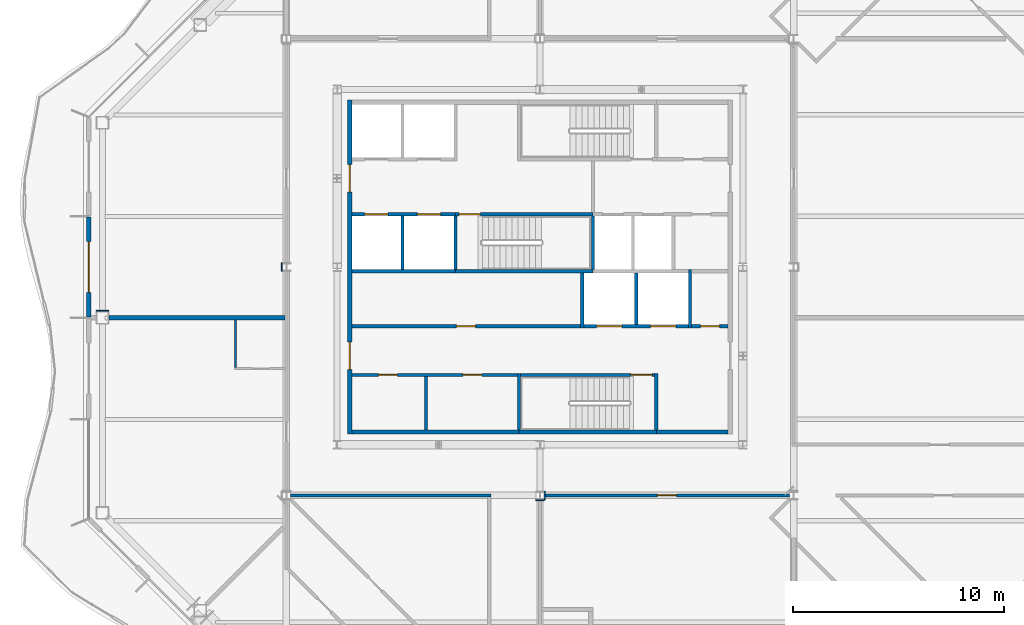
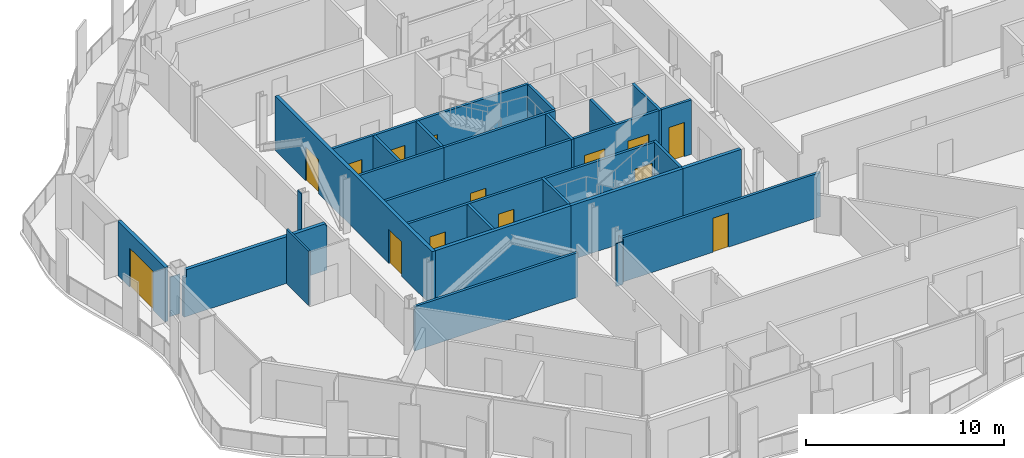
# One storey, part 8 of 19: 31 walls, 14 doors, 14 openings.
"""IFC4 building model written with IfcOpenShell, lengths in metres."""

from ifc_helpers import new_model, si_unit, direction, frame, frame_2d, origin, place, context, subcontext, project, spatial, polyline, rectangle, outline, extrude, material, layer, layer_set, type_object, element, fill, save


model = new_model("IFC4")

# Units and contexts
model_context = context("Model", 3, precision=1e-05, world=origin(), true_north=direction((0.0, 1.0)))
body_context = subcontext(model_context, "Body", "Model", "MODEL_VIEW")
ifc_project = project(units=[si_unit("LENGTHUNIT", "METRE"), si_unit("AREAUNIT", "SQUARE_METRE"), si_unit("VOLUMEUNIT", "CUBIC_METRE"), si_unit("PLANEANGLEUNIT", "RADIAN"), si_unit("MASSUNIT", "GRAM", prefix="KILO")], contexts=[model_context])

# Site, building, storey
site_placement = place(None, origin())
site = spatial("IfcSite", under=ifc_project, at=site_placement, CompositionType="ELEMENT")
building_placement = place(site_placement, origin())
building = spatial("IfcBuilding", under=site, at=building_placement, Name="Cairn Pilgrim Tower", CompositionType="ELEMENT")
storey_placement = place(building_placement, frame((0.0, 0.0, 201.0)))
storey = spatial("IfcBuildingStorey", under=building, at=storey_placement, Name="L51", CompositionType="ELEMENT", Elevation=201.0)

# Wall, opening, door
ifc_material_1 = material(Name="Bronze anodised aluminium insulated sandwich panel with mineral wool fill", Category="aluminium")
ifc_layer_1 = layer(ifc_material_1, 0.199951171875)
ifc_layer_set_1 = layer_set([ifc_layer_1], Name="BRONZE INFILL FRAME WALL 200")
wall_type_1 = type_object("IfcWallType", Name="BRONZE INFILL FRAME WALL 200", PredefinedType="NOTDEFINED", material=ifc_layer_set_1)
wall_1_placement = place(storey_placement, frame((-14.14990234375, 4.77001953125, 0.0), z_axis=(0.0, 0.0, 1.0), x_axis=(0.0, -1.0, 0.0)))
wall_1 = element("IfcWall", 1, at=wall_1_placement, inside=storey, type_object=wall_type_1, Name="Bronze infill frame wall IW-W2", PredefinedType="NOTDEFINED", context=body_context, shape_type="SweptSolid", body=[
    extrude(rectangle(XDim=4.739990234375, YDim=0.199951171875, at=frame_2d((2.3701171875, 0.0))), origin(), (0.0, 0.0, 1.0), 3.35009765625),
])
opening_1_placement = place(wall_1_placement, frame((1.169921875, 0.0, 0.0)))
opening_1 = element("IfcOpeningElement", 2, at=opening_1_placement, cuts=wall_1, Name="Opening 5110B", PredefinedType="OPENING", context=body_context, shape_type="SweptSolid", body=[
    extrude(rectangle(XDim=2.39990234375, YDim=2.39990234375, at=frame_2d((1.199951171875, 1.199951171875))), frame((0.0, 0.10986328125, 0.0), z_axis=(0.0, -1.0, 0.0), x_axis=(1.0, 0.0, 0.0)), (0.0, 0.0, 1.0), 0.219970703125),
])
ifc_material_2 = material(Name="Bronze anodised aluminium frame with tinted low-E glass", Category="aluminium")
door_type_1 = type_object("IfcDoorType", Name="BALCONY SLIDING DOOR 2400x2400", OperationType="DOUBLE_DOOR_SLIDING", PredefinedType="DOOR", material=ifc_material_2)
door_1_placement = place(opening_1_placement, origin())
door_1 = element("IfcDoor", 3, at=door_1_placement, inside=storey, type_object=door_type_1, Name="Balcony sliding door 5110B", OperationType="SINGLE_SWING_LEFT", OverallHeight=2.39990234375, OverallWidth=2.39990234375, PredefinedType="DOOR", context=body_context, shape_type="SweptSolid", body=[
    extrude(rectangle(XDim=2.39990234375, YDim=2.39990234375, at=frame_2d((1.199951171875, 1.199951171875))), frame((0.0, 0.02490234375, 0.0), z_axis=(0.0, -1.0, 0.0), x_axis=(1.0, 0.0, 0.0)), (0.0, 0.0, 1.0), 0.050048828125),
])
fill(opening_1, door_1)

# Walls
ifc_material_3 = material(Name="Concrete C32/40", Category="concrete")
ifc_layer_2 = layer(ifc_material_3, 0.199951171875)
ifc_layer_set_2 = layer_set([ifc_layer_2], Name="CORE OUTER WALL 200 EI 120")
wall_type_2 = type_object("IfcWallType", Name="CORE OUTER WALL 200 EI 120", PredefinedType="SOLIDWALL", material=ifc_layer_set_2)
wall_2_placement = place(storey_placement, frame((-1.699951171875, -5.39990234375, 0.0), z_axis=(0.0, 0.0, 1.0), x_axis=(1.0, 0.0, 0.0)))
element("IfcWall", 4, at=wall_2_placement, inside=storey, type_object=wall_type_2, Name="CW:L51:H01-1", PredefinedType="SOLIDWALL", context=body_context, shape_type="SweptSolid", body=[
    extrude(rectangle(XDim=7.89990234375, YDim=0.199951171875, at=frame_2d((3.949951171875, 0.0))), origin(), (0.0, 0.0, 1.0), 3.35009765625),
])
wall_3_placement = place(storey_placement, frame((12.699951171875, -5.39990234375, 0.0), z_axis=(0.0, 0.0, 1.0), x_axis=(1.0, 0.0, 0.0)))
element("IfcWall", 5, at=wall_3_placement, inside=storey, type_object=wall_type_2, Name="CW:L51:H01-3", PredefinedType="SOLIDWALL", context=body_context, shape_type="SweptSolid", body=[
    extrude(rectangle(XDim=3.400146484375, YDim=0.199951171875, at=frame_2d((1.7001953125, 0.0))), origin(), (0.0, 0.0, 1.0), 3.35009765625),
])

# Wall, openings, doors
wall_4_placement = place(storey_placement, frame((-1.800048828125, -5.5, 0.0), z_axis=(0.0, 0.0, 1.0), x_axis=(0.0, 1.0, 0.0)))
wall_4 = element("IfcWall", 6, at=wall_4_placement, inside=storey, type_object=wall_type_2, Name="CW:L51:V13", PredefinedType="SOLIDWALL", context=body_context, shape_type="SweptSolid", body=[
    extrude(rectangle(XDim=15.800048828125, YDim=0.199951171875, at=frame_2d((7.89990234375, 0.0))), origin(), (0.0, 0.0, 1.0), 3.35009765625),
])
opening_2_placement = place(wall_4_placement, frame((3.050048828125, 0.0, 0.0)))
opening_2 = element("IfcOpeningElement", 7, at=opening_2_placement, cuts=wall_4, Name="Opening CD-W1", PredefinedType="OPENING", context=body_context, shape_type="SweptSolid", body=[
    extrude(rectangle(XDim=1.300048828125, YDim=2.10009765625, at=frame_2d((0.64990234375, 1.050048828125))), frame((0.0, 0.10986328125, 0.0), z_axis=(0.0, -1.0, 0.0), x_axis=(1.0, 0.0, 0.0)), (0.0, 0.0, 1.0), 0.219970703125),
])
opening_3_placement = place(wall_4_placement, frame((11.449951171875, 0.0, 0.0)))
opening_3 = element("IfcOpeningElement", 8, at=opening_3_placement, cuts=wall_4, Name="Opening CD-W2", PredefinedType="OPENING", context=body_context, shape_type="SweptSolid", body=[
    extrude(rectangle(XDim=1.300048828125, YDim=2.10009765625, at=frame_2d((0.64990234375, 1.050048828125))), frame((0.0, 0.10986328125, 0.0), z_axis=(0.0, -1.0, 0.0), x_axis=(1.0, 0.0, 0.0)), (0.0, 0.0, 1.0), 0.219970703125),
])
ifc_material_4 = material(Name="Painted steel", Category="steel")
door_type_2 = type_object("IfcDoorType", Name="CORE LOBBY DOOR 1300x2100", OperationType="DOUBLE_DOOR_SINGLE_SWING", PredefinedType="DOOR", material=ifc_material_4)
door_2_placement = place(opening_2_placement, origin())
door_2 = element("IfcDoor", 9, at=door_2_placement, inside=storey, type_object=door_type_2, Name="CD-W1", OperationType="DOUBLE_DOOR_SINGLE_SWING", OverallHeight=2.10009765625, OverallWidth=1.300048828125, PredefinedType="DOOR", context=body_context, shape_type="SweptSolid", body=[
    extrude(rectangle(XDim=1.300048828125, YDim=2.10009765625, at=frame_2d((0.64990234375, 1.050048828125))), frame((0.0, 0.02490234375, 0.0), z_axis=(0.0, -1.0, 0.0), x_axis=(1.0, 0.0, 0.0)), (0.0, 0.0, 1.0), 0.050048828125),
])
fill(opening_2, door_2)
door_3_placement = place(opening_3_placement, origin())
door_3 = element("IfcDoor", 10, at=door_3_placement, inside=storey, type_object=door_type_2, Name="CD-W2", OperationType="DOUBLE_DOOR_SINGLE_SWING", OverallHeight=2.10009765625, OverallWidth=1.300048828125, PredefinedType="DOOR", context=body_context, shape_type="SweptSolid", body=[
    extrude(rectangle(XDim=1.300048828125, YDim=2.10009765625, at=frame_2d((0.64990234375, 1.050048828125))), frame((0.0, 0.02490234375, 0.0), z_axis=(0.0, -1.0, 0.0), x_axis=(1.0, 0.0, 0.0)), (0.0, 0.0, 1.0), 0.050048828125),
])
fill(opening_3, door_3)

ifc_layer_3 = layer(ifc_material_3, 0.14990234375)
ifc_layer_set_3 = layer_set([ifc_layer_3], Name="CORE PARTITION 150 EI 60")
wall_type_3 = type_object("IfcWallType", Name="CORE PARTITION 150 EI 60", PredefinedType="PARTITIONING", material=ifc_layer_set_3)
wall_5_placement = place(storey_placement, frame((-1.699951171875, -2.699951171875, 0.0), z_axis=(0.0, 0.0, 1.0), x_axis=(1.0, 0.0, 0.0)))
wall_5 = element("IfcWall", 11, at=wall_5_placement, inside=storey, type_object=wall_type_3, Name="CW:L51:H02", PredefinedType="PARTITIONING", context=body_context, shape_type="SweptSolid", body=[
    extrude(rectangle(XDim=7.824951171875, YDim=0.14990234375, at=frame_2d((3.91259765625, 0.0))), origin(), (0.0, 0.0, 1.0), 3.35009765625),
])
opening_4_placement = place(wall_5_placement, frame((1.25, 0.0, 0.0)))
opening_4 = element("IfcOpeningElement", 12, at=opening_4_placement, cuts=wall_5, Name="Opening RD-R1W1", PredefinedType="OPENING", context=body_context, shape_type="SweptSolid", body=[
    extrude(rectangle(XDim=0.89990234375, YDim=2.10009765625, at=frame_2d((0.449951171875, 1.050048828125))), frame((0.0, 0.0849609375, 0.0), z_axis=(0.0, -1.0, 0.0), x_axis=(1.0, 0.0, 0.0)), (0.0, 0.0, 1.0), 0.169921875),
])
opening_5_placement = place(wall_5_placement, frame((5.25, 0.0, 0.0)))
opening_5 = element("IfcOpeningElement", 13, at=opening_5_placement, cuts=wall_5, Name="Opening RD-R1W2", PredefinedType="OPENING", context=body_context, shape_type="SweptSolid", body=[
    extrude(rectangle(XDim=0.89990234375, YDim=2.10009765625, at=frame_2d((0.449951171875, 1.050048828125))), frame((0.0, 0.0849609375, 0.0), z_axis=(0.0, -1.0, 0.0), x_axis=(1.0, 0.0, 0.0)), (0.0, 0.0, 1.0), 0.169921875),
])
door_type_3 = type_object("IfcDoorType", Name="SERVICE ROOM DOOR 900x2100", OperationType="SINGLE_SWING_LEFT", PredefinedType="DOOR", material=ifc_material_4)
door_4_placement = place(opening_4_placement, origin())
door_4 = element("IfcDoor", 14, at=door_4_placement, inside=storey, type_object=door_type_3, Name="RD-R1W1", OperationType="SINGLE_SWING_RIGHT", OverallHeight=2.10009765625, OverallWidth=0.89990234375, PredefinedType="DOOR", context=body_context, shape_type="SweptSolid", body=[
    extrude(rectangle(XDim=0.89990234375, YDim=2.10009765625, at=frame_2d((0.449951171875, 1.050048828125))), frame((0.0, 0.02490234375, 0.0), z_axis=(0.0, -1.0, 0.0), x_axis=(1.0, 0.0, 0.0)), (0.0, 0.0, 1.0), 0.050048828125),
])
fill(opening_4, door_4)
door_5_placement = place(opening_5_placement, origin())
door_5 = element("IfcDoor", 15, at=door_5_placement, inside=storey, type_object=door_type_3, Name="RD-R1W2", OperationType="SINGLE_SWING_LEFT", OverallHeight=2.10009765625, OverallWidth=0.89990234375, PredefinedType="DOOR", context=body_context, shape_type="SweptSolid", body=[
    extrude(rectangle(XDim=0.89990234375, YDim=2.10009765625, at=frame_2d((0.449951171875, 1.050048828125))), frame((0.0, 0.02490234375, 0.0), z_axis=(0.0, -1.0, 0.0), x_axis=(1.0, 0.0, 0.0)), (0.0, 0.0, 1.0), 0.050048828125),
])
fill(opening_5, door_5)

# Wall, opening, door
wall_6_placement = place(storey_placement, frame((-1.699951171875, -0.39990234375, 0.0), z_axis=(0.0, 0.0, 1.0), x_axis=(1.0, 0.0, 0.0)))
wall_6 = element("IfcWall", 16, at=wall_6_placement, inside=storey, type_object=wall_type_3, Name="CW:L51:H04", PredefinedType="PARTITIONING", context=body_context, shape_type="SweptSolid", body=[
    extrude(rectangle(XDim=10.824951171875, YDim=0.14990234375, at=frame_2d((5.41259765625, 0.0))), origin(), (0.0, 0.0, 1.0), 3.35009765625),
])
opening_6_placement = place(wall_6_placement, frame((4.949951171875, 0.0, 0.0)))
opening_6 = element("IfcOpeningElement", 17, at=opening_6_placement, cuts=wall_6, Name="Opening RD-R2W1", PredefinedType="OPENING", context=body_context, shape_type="SweptSolid", body=[
    extrude(rectangle(XDim=0.89990234375, YDim=2.10009765625, at=frame_2d((0.449951171875, 1.050048828125))), frame((0.0, 0.0849609375, 0.0), z_axis=(0.0, -1.0, 0.0), x_axis=(1.0, 0.0, 0.0)), (0.0, 0.0, 1.0), 0.169921875),
])
door_6_placement = place(opening_6_placement, origin())
door_6 = element("IfcDoor", 18, at=door_6_placement, inside=storey, type_object=door_type_3, Name="RD-R2W1", OperationType="SINGLE_SWING_RIGHT", OverallHeight=2.10009765625, OverallWidth=0.89990234375, PredefinedType="DOOR", context=body_context, shape_type="SweptSolid", body=[
    extrude(rectangle(XDim=0.89990234375, YDim=2.10009765625, at=frame_2d((0.449951171875, 1.050048828125))), frame((0.0, 0.02490234375, 0.0), z_axis=(0.0, -1.0, 0.0), x_axis=(1.0, 0.0, 0.0)), (0.0, 0.0, 1.0), 0.050048828125),
])
fill(opening_6, door_6)

wall_7_placement = place(storey_placement, frame((14.375, -0.39990234375, 0.0), z_axis=(0.0, 0.0, 1.0), x_axis=(1.0, 0.0, 0.0)))
wall_7 = element("IfcWall", 19, at=wall_7_placement, inside=storey, type_object=wall_type_3, Name="CW:L51:H06", PredefinedType="PARTITIONING", context=body_context, shape_type="SweptSolid", body=[
    extrude(rectangle(XDim=1.72509765625, YDim=0.14990234375, at=frame_2d((0.862548828125, 0.0))), origin(), (0.0, 0.0, 1.0), 3.35009765625),
])
opening_7_placement = place(wall_7_placement, frame((0.425048828125, 0.0, 0.0)))
opening_7 = element("IfcOpeningElement", 20, at=opening_7_placement, cuts=wall_7, Name="Opening RD-R2E", PredefinedType="OPENING", context=body_context, shape_type="SweptSolid", body=[
    extrude(rectangle(XDim=0.89990234375, YDim=2.10009765625, at=frame_2d((0.449951171875, 1.050048828125))), frame((0.0, 0.0849609375, 0.0), z_axis=(0.0, -1.0, 0.0), x_axis=(1.0, 0.0, 0.0)), (0.0, 0.0, 1.0), 0.169921875),
])
door_7_placement = place(opening_7_placement, origin())
door_7 = element("IfcDoor", 21, at=door_7_placement, inside=storey, type_object=door_type_3, Name="RD-R2E", OperationType="SINGLE_SWING_LEFT", OverallHeight=2.10009765625, OverallWidth=0.89990234375, PredefinedType="DOOR", context=body_context, shape_type="SweptSolid", body=[
    extrude(rectangle(XDim=0.89990234375, YDim=2.10009765625, at=frame_2d((0.449951171875, 1.050048828125))), frame((0.0, 0.02490234375, 0.0), z_axis=(0.0, -1.0, 0.0), x_axis=(1.0, 0.0, 0.0)), (0.0, 0.0, 1.0), 0.050048828125),
])
fill(opening_7, door_7)

# Wall
wall_8_placement = place(storey_placement, frame((1.800048828125, -5.300048828125, 0.0), z_axis=(0.0, 0.0, 1.0), x_axis=(0.0, 1.0, 0.0)))
element("IfcWall", 22, at=wall_8_placement, inside=storey, type_object=wall_type_3, Name="CW:L51:V16", PredefinedType="PARTITIONING", context=body_context, shape_type="SweptSolid", body=[
    extrude(rectangle(XDim=2.525146484375, YDim=0.14990234375, at=frame_2d((1.2626953125, 0.0))), origin(), (0.0, 0.0, 1.0), 3.35009765625),
])

# Wall, openings, doors
ifc_layer_4 = layer(ifc_material_3, 0.14990234375)
ifc_layer_set_4 = layer_set([ifc_layer_4], Name="CORE SHAFT WALL 150 EI 120")
wall_type_4 = type_object("IfcWallType", Name="CORE SHAFT WALL 150 EI 120", PredefinedType="SOLIDWALL", material=ifc_layer_set_4)
wall_9_placement = place(storey_placement, frame((9.27490234375, -0.39990234375, 0.0), z_axis=(0.0, 0.0, 1.0), x_axis=(1.0, 0.0, 0.0)))
wall_9 = element("IfcWall", 23, at=wall_9_placement, inside=storey, type_object=wall_type_4, Name="CW:L51:H05", PredefinedType="SOLIDWALL", context=body_context, shape_type="SweptSolid", body=[
    extrude(rectangle(XDim=4.9501953125, YDim=0.14990234375, at=frame_2d((2.47509765625, 0.0))), origin(), (0.0, 0.0, 1.0), 3.35009765625),
])
opening_8_placement = place(wall_9_placement, frame((0.60009765625, 0.0, 0.0)))
opening_8 = element("IfcOpeningElement", 24, at=opening_8_placement, cuts=wall_9, Name="Opening LD-SV1", PredefinedType="OPENING", context=body_context, shape_type="SweptSolid", body=[
    extrude(rectangle(XDim=1.199951171875, YDim=2.10009765625, at=frame_2d((0.60009765625, 1.050048828125))), frame((0.0, 0.0849609375, 0.0), z_axis=(0.0, -1.0, 0.0), x_axis=(1.0, 0.0, 0.0)), (0.0, 0.0, 1.0), 0.169921875),
])
opening_9_placement = place(wall_9_placement, frame((3.14990234375, 0.0, 0.0)))
opening_9 = element("IfcOpeningElement", 25, at=opening_9_placement, cuts=wall_9, Name="Opening LD-SV2", PredefinedType="OPENING", context=body_context, shape_type="SweptSolid", body=[
    extrude(rectangle(XDim=1.199951171875, YDim=2.10009765625, at=frame_2d((0.60009765625, 1.050048828125))), frame((0.0, 0.0849609375, 0.0), z_axis=(0.0, -1.0, 0.0), x_axis=(1.0, 0.0, 0.0)), (0.0, 0.0, 1.0), 0.169921875),
])
ifc_material_5 = material(Name="Stainless steel", Category="steel")
door_type_4 = type_object("IfcDoorType", Name="LIFT LANDING DOOR 1200x2100", OperationType="DOUBLE_DOOR_SLIDING", PredefinedType="DOOR", material=ifc_material_5)
door_8_placement = place(opening_8_placement, origin())
door_8 = element("IfcDoor", 26, at=door_8_placement, inside=storey, type_object=door_type_4, Name="LANDING DOOR SV1", OperationType="DOUBLE_DOOR_SLIDING", OverallHeight=2.10009765625, OverallWidth=1.199951171875, PredefinedType="DOOR", context=body_context, shape_type="SweptSolid", body=[
    extrude(rectangle(XDim=1.199951171875, YDim=2.10009765625, at=frame_2d((0.60009765625, 1.050048828125))), frame((0.0, 0.02490234375, 0.0), z_axis=(0.0, -1.0, 0.0), x_axis=(1.0, 0.0, 0.0)), (0.0, 0.0, 1.0), 0.050048828125),
])
fill(opening_8, door_8)
door_9_placement = place(opening_9_placement, origin())
door_9 = element("IfcDoor", 27, at=door_9_placement, inside=storey, type_object=door_type_4, Name="LANDING DOOR SV2", OperationType="DOUBLE_DOOR_SLIDING", OverallHeight=2.10009765625, OverallWidth=1.199951171875, PredefinedType="DOOR", context=body_context, shape_type="SweptSolid", body=[
    extrude(rectangle(XDim=1.199951171875, YDim=2.10009765625, at=frame_2d((0.60009765625, 1.050048828125))), frame((0.0, 0.02490234375, 0.0), z_axis=(0.0, -1.0, 0.0), x_axis=(1.0, 0.0, 0.0)), (0.0, 0.0, 1.0), 0.050048828125),
])
fill(opening_9, door_9)

# Wall
wall_10_placement = place(storey_placement, frame((-1.699951171875, 2.199951171875, 0.0), z_axis=(0.0, 0.0, 1.0), x_axis=(1.0, 0.0, 0.0)))
element("IfcWall", 28, at=wall_10_placement, inside=storey, type_object=wall_type_4, Name="CW:L51:H07-1", PredefinedType="SOLIDWALL", context=body_context, shape_type="SweptSolid", body=[
    extrude(rectangle(XDim=4.89990234375, YDim=0.14990234375, at=frame_2d((2.449951171875, 0.0))), origin(), (0.0, 0.0, 1.0), 3.35009765625),
])

# Wall, openings, doors
wall_11_placement = place(storey_placement, frame((-1.699951171875, 4.89990234375, 0.0), z_axis=(0.0, 0.0, 1.0), x_axis=(1.0, 0.0, 0.0)))
wall_11 = element("IfcWall", 29, at=wall_11_placement, inside=storey, type_object=wall_type_4, Name="CW:L51:H09-1", PredefinedType="SOLIDWALL", context=body_context, shape_type="SweptSolid", body=[
    extrude(rectangle(XDim=4.89990234375, YDim=0.14990234375, at=frame_2d((2.449951171875, 0.0))), origin(), (0.0, 0.0, 1.0), 3.35009765625),
])
opening_10_placement = place(wall_11_placement, frame((0.60009765625, 0.0, 0.0)))
opening_10 = element("IfcOpeningElement", 30, at=opening_10_placement, cuts=wall_11, Name="Opening LD-HR1", PredefinedType="OPENING", context=body_context, shape_type="SweptSolid", body=[
    extrude(rectangle(XDim=1.10009765625, YDim=2.10009765625, at=frame_2d((0.550048828125, 1.050048828125))), frame((0.0, 0.0849609375, 0.0), z_axis=(0.0, -1.0, 0.0), x_axis=(1.0, 0.0, 0.0)), (0.0, 0.0, 1.0), 0.169921875),
])
opening_11_placement = place(wall_11_placement, frame((3.10009765625, 0.0, 0.0)))
opening_11 = element("IfcOpeningElement", 31, at=opening_11_placement, cuts=wall_11, Name="Opening LD-HR2", PredefinedType="OPENING", context=body_context, shape_type="SweptSolid", body=[
    extrude(rectangle(XDim=1.10009765625, YDim=2.10009765625, at=frame_2d((0.550048828125, 1.050048828125))), frame((0.0, 0.0849609375, 0.0), z_axis=(0.0, -1.0, 0.0), x_axis=(1.0, 0.0, 0.0)), (0.0, 0.0, 1.0), 0.169921875),
])
door_type_5 = type_object("IfcDoorType", Name="LIFT LANDING DOOR 1100x2100", OperationType="DOUBLE_DOOR_SLIDING", PredefinedType="DOOR", material=ifc_material_5)
door_10_placement = place(opening_10_placement, origin())
door_10 = element("IfcDoor", 32, at=door_10_placement, inside=storey, type_object=door_type_5, Name="LANDING DOOR HR1", OperationType="DOUBLE_DOOR_SLIDING", OverallHeight=2.10009765625, OverallWidth=1.10009765625, PredefinedType="DOOR", context=body_context, shape_type="SweptSolid", body=[
    extrude(rectangle(XDim=1.10009765625, YDim=2.10009765625, at=frame_2d((0.550048828125, 1.050048828125))), frame((0.0, 0.02490234375, 0.0), z_axis=(0.0, -1.0, 0.0), x_axis=(1.0, 0.0, 0.0)), (0.0, 0.0, 1.0), 0.050048828125),
])
fill(opening_10, door_10)
door_11_placement = place(opening_11_placement, origin())
door_11 = element("IfcDoor", 33, at=door_11_placement, inside=storey, type_object=door_type_5, Name="LANDING DOOR HR2", OperationType="DOUBLE_DOOR_SLIDING", OverallHeight=2.10009765625, OverallWidth=1.10009765625, PredefinedType="DOOR", context=body_context, shape_type="SweptSolid", body=[
    extrude(rectangle(XDim=1.10009765625, YDim=2.10009765625, at=frame_2d((0.550048828125, 1.050048828125))), frame((0.0, 0.02490234375, 0.0), z_axis=(0.0, -1.0, 0.0), x_axis=(1.0, 0.0, 0.0)), (0.0, 0.0, 1.0), 0.050048828125),
])
fill(opening_11, door_11)

# Walls
wall_12_placement = place(storey_placement, frame((0.699951171875, 2.27490234375, 0.0), z_axis=(0.0, 0.0, 1.0), x_axis=(0.0, 1.0, 0.0)))
element("IfcWall", 34, at=wall_12_placement, inside=storey, type_object=wall_type_4, Name="CW:L51:V14", PredefinedType="SOLIDWALL", context=body_context, shape_type="SweptSolid", body=[
    extrude(rectangle(XDim=2.550048828125, YDim=0.14990234375, at=frame_2d((1.27490234375, 0.0))), origin(), (0.0, 0.0, 1.0), 3.35009765625),
])
wall_13_placement = place(storey_placement, frame((9.199951171875, -0.47509765625, 0.0), z_axis=(0.0, 0.0, 1.0), x_axis=(0.0, 1.0, 0.0)))
element("IfcWall", 35, at=wall_13_placement, inside=storey, type_object=wall_type_4, Name="CW:L51:V21", PredefinedType="SOLIDWALL", context=body_context, shape_type="SweptSolid", body=[
    extrude(rectangle(XDim=2.60009765625, YDim=0.14990234375, at=frame_2d((1.300048828125, 0.0))), origin(), (0.0, 0.0, 1.0), 3.35009765625),
])
wall_14_placement = place(storey_placement, frame((11.75, -0.324951171875, 0.0), z_axis=(0.0, 0.0, 1.0), x_axis=(0.0, 1.0, 0.0)))
element("IfcWall", 36, at=wall_14_placement, inside=storey, type_object=wall_type_4, Name="CW:L51:V25", PredefinedType="SOLIDWALL", context=body_context, shape_type="SweptSolid", body=[
    extrude(rectangle(XDim=2.449951171875, YDim=0.14990234375, at=frame_2d((1.22509765625, 0.0))), origin(), (0.0, 0.0, 1.0), 3.35009765625),
])
wall_15_placement = place(storey_placement, frame((14.300048828125, -0.47509765625, 0.0), z_axis=(0.0, 0.0, 1.0), x_axis=(0.0, 1.0, 0.0)))
element("IfcWall", 37, at=wall_15_placement, inside=storey, type_object=wall_type_4, Name="CW:L51:V29", PredefinedType="SOLIDWALL", context=body_context, shape_type="SweptSolid", body=[
    extrude(rectangle(XDim=2.75, YDim=0.14990234375, at=frame_2d((1.375, 0.0))), origin(), (0.0, 0.0, 1.0), 3.35009765625),
])
ifc_material_6 = material(Name="Gypsum partition")
ifc_layer_5 = layer(ifc_material_6, 0.10009765625)
ifc_layer_set_5 = layer_set([ifc_layer_5], Name="PARTITION 100 DRYWALL")
wall_type_5 = type_object("IfcWallType", Name="PARTITION 100 DRYWALL", PredefinedType="PARTITIONING", material=ifc_layer_set_5)
wall_16_placement = place(storey_placement, frame((-7.199951171875, -2.35009765625, 0.0), z_axis=(0.0, 0.0, 1.0), x_axis=(0.0, 1.0, 0.0)))
element("IfcWall", 38, at=wall_16_placement, inside=storey, type_object=wall_type_5, Name="PARTITION W049", PredefinedType="PARTITIONING", context=body_context, shape_type="SweptSolid", body=[
    extrude(rectangle(XDim=2.25, YDim=0.10009765625, at=frame_2d((1.125, 0.0))), origin(), (0.0, 0.0, 1.0), 3.35009765625),
])
ifc_layer_6 = layer(ifc_material_6, 0.14990234375)
ifc_layer_set_6 = layer_set([ifc_layer_6], Name="PARTITION 150 DRYWALL EI 60")
wall_type_6 = type_object("IfcWallType", Name="PARTITION 150 DRYWALL EI 60", PredefinedType="PARTITIONING", material=ifc_layer_set_6)
wall_17_placement = place(storey_placement, frame((-4.6005859375, -8.39990234375, 0.0), z_axis=(0.0, 0.0, 1.0), x_axis=(1.0, 0.0, 0.0)))
element("IfcWall", 39, at=wall_17_placement, inside=storey, type_object=wall_type_6, Name="PARTITION W038", PredefinedType="PARTITIONING", context=body_context, shape_type="SweptSolid", body=[
    extrude(rectangle(XDim=9.4755859375, YDim=0.14990234375, at=frame_2d((4.73779296875, 0.0))), origin(), (0.0, 0.0, 1.0), 2.72998046875),
])

# Wall, opening, door
wall_18_placement = place(storey_placement, frame((7.3994140625, -8.39990234375, 0.0), z_axis=(0.0, 0.0, 1.0), x_axis=(1.0, 0.0, 0.0)))
wall_18 = element("IfcWall", 40, at=wall_18_placement, inside=storey, type_object=wall_type_6, Name="PARTITION W039", PredefinedType="PARTITIONING", context=body_context, shape_type="SweptSolid", body=[
    extrude(rectangle(XDim=11.60107421875, YDim=0.14990234375, at=frame_2d((5.800537109375, 0.0))), origin(), (0.0, 0.0, 1.0), 2.72998046875),
])
opening_12_placement = place(wall_18_placement, frame((5.3505859375, 0.0, 0.0)))
opening_12 = element("IfcOpeningElement", 41, at=opening_12_placement, cuts=wall_18, Name="Opening 5125", PredefinedType="OPENING", context=body_context, shape_type="SweptSolid", body=[
    extrude(rectangle(XDim=0.89990234375, YDim=2.10009765625, at=frame_2d((0.449951171875, 1.050048828125))), frame((0.0, 0.0849609375, 0.0), z_axis=(0.0, -1.0, 0.0), x_axis=(1.0, 0.0, 0.0)), (0.0, 0.0, 1.0), 0.169921875),
])
ifc_material_7 = material(Name="Timber door leaf", Category="wood")
door_type_6 = type_object("IfcDoorType", Name="SERVICE DOOR 900x2100 FD30S", OperationType="NOTDEFINED", PredefinedType="DOOR", material=ifc_material_7)
door_12_placement = place(opening_12_placement, frame((0.89990234375, 0.0, 0.0), z_axis=(0.0, 0.0, 1.0), x_axis=(-1.0, 0.0, 0.0)))
door_12 = element("IfcDoor", 42, at=door_12_placement, inside=storey, type_object=door_type_6, Name="DOOR 5125", OperationType="SINGLE_SWING_LEFT", OverallHeight=2.10009765625, OverallWidth=0.89990234375, PredefinedType="DOOR", context=body_context, shape_type="SweptSolid", body=[
    extrude(rectangle(XDim=0.89990234375, YDim=2.10009765625, at=frame_2d((0.449951171875, 1.050048828125))), frame((0.0, 0.02490234375, 0.0), z_axis=(0.0, -1.0, 0.0), x_axis=(1.0, 0.0, 0.0)), (0.0, 0.0, 1.0), 0.050048828125),
])
fill(opening_12, door_12)

# Walls
ifc_layer_7 = layer(ifc_material_6, 0.050048828125)
ifc_layer_set_7 = layer_set([ifc_layer_7], Name="PARTITION 50 DRYWALL EI 60")
wall_type_7 = type_object("IfcWallType", Name="PARTITION 50 DRYWALL EI 60", PredefinedType="PARTITIONING", material=ifc_layer_set_7)
wall_19_placement = place(storey_placement, frame((7.424560546875, -8.596435546875, 0.0), z_axis=(0.0, 0.0, 1.0), x_axis=(0.0, 1.0, 0.0)))
element("IfcWall", 43, at=wall_19_placement, inside=storey, type_object=wall_type_7, Name="COLUMN CASING WC08", PredefinedType="PARTITIONING", context=body_context, shape_type="SweptSolid", body=[
    extrude(rectangle(XDim=0.392822265625, YDim=0.050048828125, at=frame_2d((0.1962890625, 0.0))), origin(), (0.0, 0.0, 1.0), 2.72998046875),
])
wall_20_placement = place(storey_placement, frame((-5.0244140625, 2.20361328125, 0.0), z_axis=(0.0, 0.0, 1.0), x_axis=(0.0, 1.0, 0.0)))
element("IfcWall", 44, at=wall_20_placement, inside=storey, type_object=wall_type_7, Name="COLUMN CASING WC14", PredefinedType="PARTITIONING", context=body_context, shape_type="SweptSolid", body=[
    extrude(rectangle(XDim=0.392822265625, YDim=0.050048828125, at=frame_2d((0.1962890625, 0.0))), origin(), (0.0, 0.0, 1.0), 3.35009765625),
])
wall_21_placement = place(storey_placement, frame((7.00048828125, -8.62158203125, 0.0), z_axis=(0.0, 0.0, 1.0), x_axis=(1.0, 0.0, 0.0)))
element("IfcWall", 45, at=wall_21_placement, inside=storey, type_object=wall_type_7, Name="COLUMN CASING WC18", PredefinedType="PARTITIONING", context=body_context, shape_type="SweptSolid", body=[
    extrude(rectangle(XDim=0.39892578125, YDim=0.050048828125, at=frame_2d((0.199462890625, 0.0))), origin(), (0.0, 0.0, 1.0), 2.6298828125),
])
wall_22_placement = place(storey_placement, frame((-13.800048828125, 0.324951171875, 0.0), z_axis=(0.0, 0.0, 1.0), x_axis=(1.0, 0.0, 0.0)))
element("IfcWall", 46, at=wall_22_placement, inside=storey, type_object=wall_type_7, Name="COLUMN CASING WC22", PredefinedType="PARTITIONING", context=body_context, shape_type="SweptSolid", body=[
    extrude(rectangle(XDim=0.60009765625, YDim=0.050048828125, at=frame_2d((0.300048828125, 0.0))), origin(), (0.0, 0.0, 1.0), 2.429931640625),
])
ifc_layer_8 = layer(ifc_material_6, 0.199951171875)
ifc_layer_set_8 = layer_set([ifc_layer_8], Name="SHAFT WALL 200 GYPSUM EI 60")
wall_type_8 = type_object("IfcWallType", Name="SHAFT WALL 200 GYPSUM EI 60", PredefinedType="PARTITIONING", material=ifc_layer_set_8)
wall_23_placement = place(storey_placement, frame((-13.199951171875, 0.0, 0.0), z_axis=(0.0, 0.0, 1.0), x_axis=(1.0, 0.0, 0.0)))
element("IfcWall", 47, at=wall_23_placement, inside=storey, type_object=wall_type_8, Name="PARTITION W053", PredefinedType="PARTITIONING", context=body_context, shape_type="SweptSolid", body=[
    extrude(outline(polyline([(0.0, 0.0), (8.324951171875, 0.0), (8.324951171875, 2.72998046875), (8.25, 2.72998046875), (8.248046875, 2.8798828125), (0.14990234375, 2.8798828125), (0.14794921875, 2.429931640625), (0.0, 2.429931640625), (0.0, 0.0)])), frame((0.0, 0.10009765625, 0.0), z_axis=(0.0, -1.0, 0.0), x_axis=(1.0, 0.0, 0.0)), (0.0, 0.0, 1.0), 0.199951171875),
])

# Wall, opening, door
ifc_material_8 = material(Name="Concrete C35/45", Category="concrete")
ifc_layer_9 = layer(ifc_material_8, 0.14990234375)
ifc_layer_set_9 = layer_set([ifc_layer_9], Name="STAIR SHAFT WALL 150 EI 120")
wall_type_9 = type_object("IfcWallType", Name="STAIR SHAFT WALL 150 EI 120", PredefinedType="SOLIDWALL", material=ifc_layer_set_9)
wall_24_placement = place(storey_placement, frame((6.27490234375, -2.699951171875, 0.0), z_axis=(0.0, 0.0, 1.0), x_axis=(1.0, 0.0, 0.0)))
wall_24 = element("IfcWall", 48, at=wall_24_placement, inside=storey, type_object=wall_type_9, Name="CW:L51:H03", PredefinedType="SOLIDWALL", context=body_context, shape_type="SweptSolid", body=[
    extrude(rectangle(XDim=6.35009765625, YDim=0.14990234375, at=frame_2d((3.175048828125, 0.0))), origin(), (0.0, 0.0, 1.0), 3.35009765625),
])
opening_13_placement = place(wall_24_placement, frame((5.22509765625, 0.0, 0.0)))
opening_13 = element("IfcOpeningElement", 49, at=opening_13_placement, cuts=wall_24, Name="Opening SD-A", PredefinedType="OPENING", context=body_context, shape_type="SweptSolid", body=[
    extrude(rectangle(XDim=1.0, YDim=2.10009765625, at=frame_2d((0.5, 1.050048828125))), frame((0.0, 0.0849609375, 0.0), z_axis=(0.0, -1.0, 0.0), x_axis=(1.0, 0.0, 0.0)), (0.0, 0.0, 1.0), 0.169921875),
])
door_type_7 = type_object("IfcDoorType", Name="STAIR DOOR FD60S 1000x2100", OperationType="SINGLE_SWING_LEFT", PredefinedType="DOOR", material=ifc_material_4)
door_13_placement = place(opening_13_placement, origin())
door_13 = element("IfcDoor", 50, at=door_13_placement, inside=storey, type_object=door_type_7, Name="SD-A", OperationType="SINGLE_SWING_RIGHT", OverallHeight=2.10009765625, OverallWidth=1.0, PredefinedType="DOOR", context=body_context, shape_type="SweptSolid", body=[
    extrude(rectangle(XDim=1.0, YDim=2.10009765625, at=frame_2d((0.5, 1.050048828125))), frame((0.0, 0.02490234375, 0.0), z_axis=(0.0, -1.0, 0.0), x_axis=(1.0, 0.0, 0.0)), (0.0, 0.0, 1.0), 0.050048828125),
])
fill(opening_13, door_13)

# Wall
wall_25_placement = place(storey_placement, frame((3.199951171875, 2.199951171875, 0.0), z_axis=(0.0, 0.0, 1.0), x_axis=(1.0, 0.0, 0.0)))
element("IfcWall", 51, at=wall_25_placement, inside=storey, type_object=wall_type_9, Name="CW:L51:H07-2", PredefinedType="SOLIDWALL", context=body_context, shape_type="SweptSolid", body=[
    extrude(rectangle(XDim=6.5, YDim=0.14990234375, at=frame_2d((3.25, 0.0))), origin(), (0.0, 0.0, 1.0), 3.35009765625),
])

# Wall, opening, door
wall_26_placement = place(storey_placement, frame((3.199951171875, 4.89990234375, 0.0), z_axis=(0.0, 0.0, 1.0), x_axis=(1.0, 0.0, 0.0)))
wall_26 = element("IfcWall", 52, at=wall_26_placement, inside=storey, type_object=wall_type_9, Name="CW:L51:H09-2", PredefinedType="SOLIDWALL", context=body_context, shape_type="SweptSolid", body=[
    extrude(rectangle(XDim=6.5, YDim=0.14990234375, at=frame_2d((3.25, 0.0))), origin(), (0.0, 0.0, 1.0), 3.35009765625),
])
opening_14_placement = place(wall_26_placement, frame((0.175048828125, 0.0, 0.0)))
opening_14 = element("IfcOpeningElement", 53, at=opening_14_placement, cuts=wall_26, Name="Opening SD-B", PredefinedType="OPENING", context=body_context, shape_type="SweptSolid", body=[
    extrude(rectangle(XDim=1.0, YDim=2.10009765625, at=frame_2d((0.5, 1.050048828125))), frame((0.0, 0.0849609375, 0.0), z_axis=(0.0, -1.0, 0.0), x_axis=(1.0, 0.0, 0.0)), (0.0, 0.0, 1.0), 0.169921875),
])
door_14_placement = place(opening_14_placement, origin())
door_14 = element("IfcDoor", 54, at=door_14_placement, inside=storey, type_object=door_type_7, Name="SD-B", OperationType="SINGLE_SWING_LEFT", OverallHeight=2.10009765625, OverallWidth=1.0, PredefinedType="DOOR", context=body_context, shape_type="SweptSolid", body=[
    extrude(rectangle(XDim=1.0, YDim=2.10009765625, at=frame_2d((0.5, 1.050048828125))), frame((0.0, 0.02490234375, 0.0), z_axis=(0.0, -1.0, 0.0), x_axis=(1.0, 0.0, 0.0)), (0.0, 0.0, 1.0), 0.050048828125),
])
fill(opening_14, door_14)

# Walls
wall_27_placement = place(storey_placement, frame((3.199951171875, 2.27490234375, 0.0), z_axis=(0.0, 0.0, 1.0), x_axis=(0.0, 1.0, 0.0)))
element("IfcWall", 55, at=wall_27_placement, inside=storey, type_object=wall_type_9, Name="CW:L51:V17", PredefinedType="SOLIDWALL", context=body_context, shape_type="SweptSolid", body=[
    extrude(rectangle(XDim=2.550048828125, YDim=0.14990234375, at=frame_2d((1.27490234375, 0.0))), origin(), (0.0, 0.0, 1.0), 3.35009765625),
])
wall_28_placement = place(storey_placement, frame((6.199951171875, -5.300048828125, 0.0), z_axis=(0.0, 0.0, 1.0), x_axis=(0.0, 1.0, 0.0)))
element("IfcWall", 56, at=wall_28_placement, inside=storey, type_object=wall_type_9, Name="CW:L51:V19", PredefinedType="SOLIDWALL", context=body_context, shape_type="SweptSolid", body=[
    extrude(rectangle(XDim=2.675048828125, YDim=0.14990234375, at=frame_2d((1.33740234375, 0.0))), origin(), (0.0, 0.0, 1.0), 3.35009765625),
])
wall_29_placement = place(storey_placement, frame((9.699951171875, 2.27490234375, 0.0), z_axis=(0.0, 0.0, 1.0), x_axis=(0.0, 1.0, 0.0)))
element("IfcWall", 57, at=wall_29_placement, inside=storey, type_object=wall_type_9, Name="CW:L51:V22", PredefinedType="SOLIDWALL", context=body_context, shape_type="SweptSolid", body=[
    extrude(rectangle(XDim=2.550048828125, YDim=0.14990234375, at=frame_2d((1.27490234375, 0.0))), origin(), (0.0, 0.0, 1.0), 3.35009765625),
])
wall_30_placement = place(storey_placement, frame((12.699951171875, -5.300048828125, 0.0), z_axis=(0.0, 0.0, 1.0), x_axis=(0.0, 1.0, 0.0)))
element("IfcWall", 58, at=wall_30_placement, inside=storey, type_object=wall_type_9, Name="CW:L51:V26", PredefinedType="SOLIDWALL", context=body_context, shape_type="SweptSolid", body=[
    extrude(rectangle(XDim=2.675048828125, YDim=0.14990234375, at=frame_2d((1.33740234375, 0.0))), origin(), (0.0, 0.0, 1.0), 3.35009765625),
])
ifc_layer_10 = layer(ifc_material_8, 0.199951171875)
ifc_layer_set_10 = layer_set([ifc_layer_10], Name="STAIR SHAFT WALL 200 EI 120")
wall_type_10 = type_object("IfcWallType", Name="STAIR SHAFT WALL 200 EI 120", PredefinedType="SOLIDWALL", material=ifc_layer_set_10)
wall_31_placement = place(storey_placement, frame((6.199951171875, -5.39990234375, 0.0), z_axis=(0.0, 0.0, 1.0), x_axis=(1.0, 0.0, 0.0)))
element("IfcWall", 59, at=wall_31_placement, inside=storey, type_object=wall_type_10, Name="CW:L51:H01-2", PredefinedType="SOLIDWALL", context=body_context, shape_type="SweptSolid", body=[
    extrude(rectangle(XDim=6.5, YDim=0.199951171875, at=frame_2d((3.25, 0.0))), origin(), (0.0, 0.0, 1.0), 3.35009765625),
])

save(model, "model.ifc")
